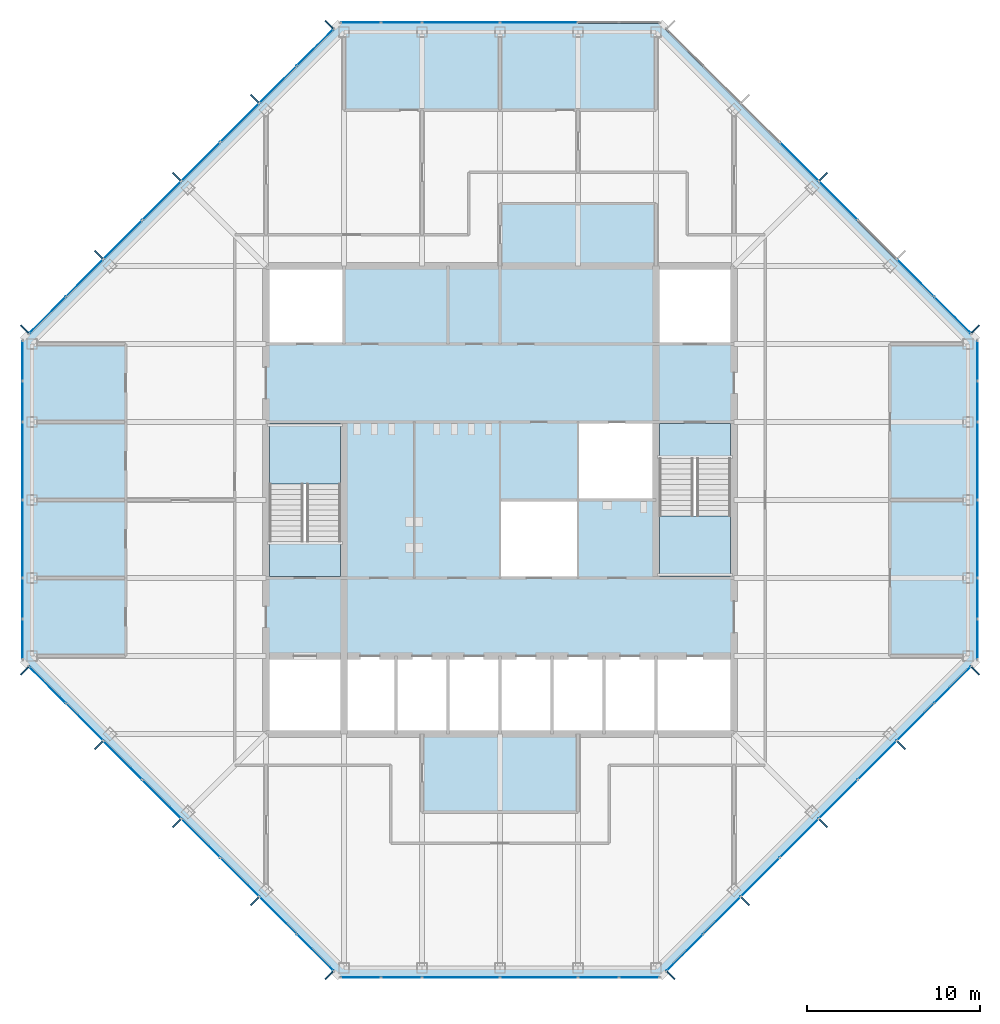
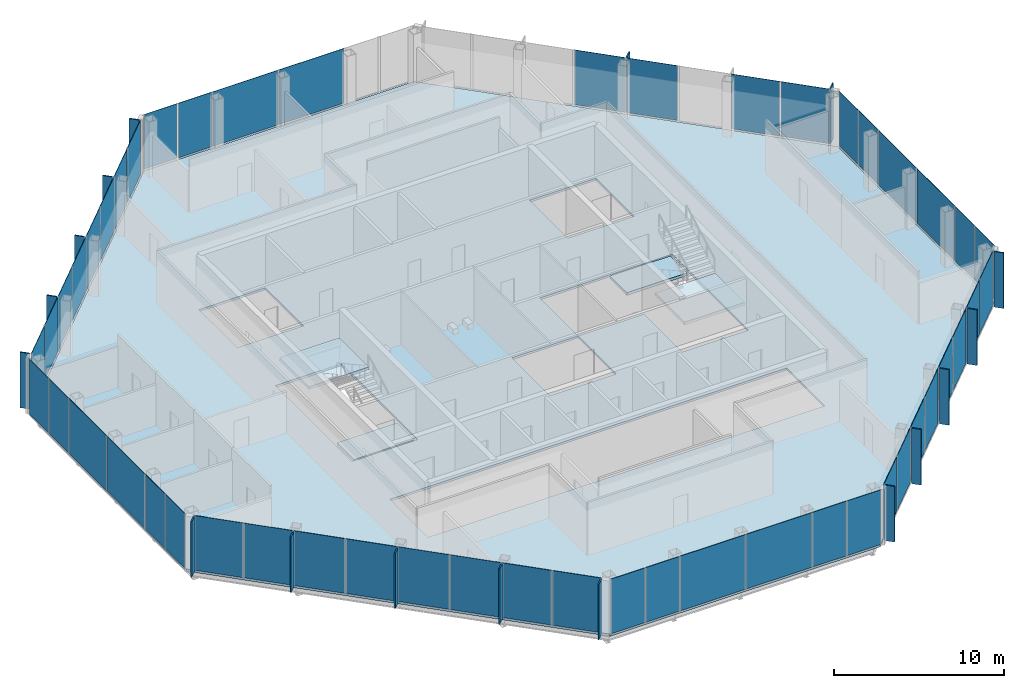
# One storey, part 8 of 14: 67 plates, 5 slabs, 10 elements without a shape of their own.
"""IFC4 building model written with IfcOpenShell, lengths in metres."""

from ifc_helpers import new_model, si_unit, direction, frame, origin, origin_2d, place, context, subcontext, project, spatial, polyline, rectangle, outline, extrude, material, layer, layer_set, type_object, element, aggregate, save


model = new_model("IFC4")

# Units and contexts
model_context = context("Model", 3, precision=1e-05, world=origin(), true_north=direction((0.0, 1.0)))
body_context = subcontext(model_context, "Body", "Model", "MODEL_VIEW")
ifc_project = project(units=[si_unit("LENGTHUNIT", "METRE"), si_unit("AREAUNIT", "SQUARE_METRE"), si_unit("VOLUMEUNIT", "CUBIC_METRE"), si_unit("PLANEANGLEUNIT", "RADIAN"), si_unit("MASSUNIT", "GRAM", prefix="KILO")], contexts=[model_context])

# Site, building, storey
site_placement = place(None, origin())
site = spatial("IfcSite", under=ifc_project, at=site_placement, CompositionType="ELEMENT")
building_placement = place(site_placement, origin())
building = spatial("IfcBuilding", under=site, at=building_placement, Name="Corais Broadcast Tower", CompositionType="ELEMENT")
storey_placement = place(building_placement, frame((0.0, 0.0, 262.60009765625)))
storey = spatial("IfcBuildingStorey", under=building, at=storey_placement, Name="L61", CompositionType="ELEMENT", Elevation=262.60009765625)

# Slab
ifc_material_1 = material(Name="Concrete C30/37", Category="concrete")
ifc_layer_1 = layer(ifc_material_1, 0.159912109375)
ifc_layer_set_1 = layer_set([ifc_layer_1], Name="Concrete C30/37")
slab_type_1 = type_object("IfcSlabType", Name="Composite floor slab 160", PredefinedType="FLOOR", material=ifc_layer_set_1)
slab_1_placement = place(storey_placement, frame((0.0, 0.0, -0.16015625)))
element("IfcSlab", 1, at=slab_1_placement, inside=storey, type_object=slab_type_1, Name="S160 floor slab L61", PredefinedType="FLOOR", context=body_context, shape_type="SweptSolid", body=[
    extrude(outline(polyline([(17.80126953125, -0.47998046875), (-0.47998046875, 17.80126953125), (-0.47998046875, 36.19873046875), (17.80126953125, 54.47998046875), (36.19873046875, 54.47998046875), (54.47998046875, 36.19873046875), (54.47998046875, 17.80126953125), (36.19873046875, -0.47998046875), (17.80126953125, -0.47998046875)]), holes=[polyline([(13.5, 18.0), (40.5, 18.0), (40.5, 13.5), (13.5, 13.5), (13.5, 18.0)]), polyline([(18.0, 22.5), (13.5, 22.5), (13.5, 31.5), (18.0, 31.5), (18.0, 22.5)]), polyline([(18.0, 36.0), (13.5, 36.0), (13.5, 40.5), (18.0, 40.5), (18.0, 36.0)]), polyline([(31.5, 22.5), (27.0, 22.5), (27.0, 27.0), (31.4951171875, 27.0), (31.4951171875, 27.0048828125), (31.5, 27.0048828125), (31.5, 31.5), (40.5, 31.5), (40.5, 22.5), (36.0, 22.5), (36.0, 27.0), (31.5048828125, 27.0), (31.5048828125, 26.9951171875), (31.5, 26.9951171875), (31.5, 22.5)]), polyline([(40.5, 36.0), (36.0, 36.0), (36.0, 40.5), (40.5, 40.5), (40.5, 36.0)])]), origin(), (0.0, 0.0, 1.0), 0.16015625),
])

# Curtain wall, plates
ifc_material_2 = material(Name="Aluminium and glass", Category="aluminium")
curtain_wall_type = type_object("IfcCurtainWallType", Name="Unitised fritted curtain wall CW3", PredefinedType="NOTDEFINED", material=ifc_material_2)
curtain_wall_1_placement = place(storey_placement, origin())
curtain_wall_1 = element("IfcCurtainWall", 2, at=curtain_wall_1_placement, inside=storey, type_object=curtain_wall_type, Name="CW3 curtain wall L61 1", PredefinedType="NOTDEFINED")
ifc_material_3 = material(Name="Ceramic-fritted laminated glass", Category="glass")
ifc_layer_2 = layer(ifc_material_3, 0.02587890625)
ifc_layer_set_2 = layer_set([ifc_layer_2], Name="Ceramic-fritted laminated glass")
plate_type_1 = type_object("IfcPlateType", Name="Fritted glass panel CW3", PredefinedType="CURTAIN_PANEL", material=ifc_layer_set_2)
plate_1_placement = place(storey_placement, frame((16.330322265625, 0.891845703125, 0.06494140625), z_axis=(0.0, 0.0, 1.0), x_axis=(-0.707106781187, 0.707106781187, 0.0)))
plate_1 = element("IfcPlate", 3, at=plate_1_placement, type_object=plate_type_1, Name="CW3 panel 1", PredefinedType="CURTAIN_PANEL", context=body_context, shape_type="SweptSolid", body=[
    extrude(rectangle(XDim=2.9482421875, YDim=0.02587890625, at=origin_2d()), origin(), (0.0, 0.0, 1.0), 3.93505859375),
])
plate_2_placement = place(storey_placement, frame((11.986083984375, 5.236083984375, 0.06494140625), z_axis=(0.0, 0.0, 1.0), x_axis=(-0.707106781187, 0.707106781187, 0.0)))
plate_2 = element("IfcPlate", 4, at=plate_2_placement, type_object=plate_type_1, Name="CW3 panel 3", PredefinedType="CURTAIN_PANEL", context=body_context, shape_type="SweptSolid", body=[
    extrude(rectangle(XDim=3.116943359375, YDim=0.02587890625, at=origin_2d()), origin(), (0.0, 0.0, 1.0), 3.93505859375),
])
plate_3_placement = place(storey_placement, frame((7.486083984375, 9.736083984375, 0.06494140625), z_axis=(0.0, 0.0, 1.0), x_axis=(-0.707106781187, 0.707106781187, 0.0)))
plate_3 = element("IfcPlate", 5, at=plate_3_placement, type_object=plate_type_1, Name="CW3 panel 5", PredefinedType="CURTAIN_PANEL", context=body_context, shape_type="SweptSolid", body=[
    extrude(rectangle(XDim=3.116943359375, YDim=0.02587890625, at=origin_2d()), origin(), (0.0, 0.0, 1.0), 3.93505859375),
])
plate_4_placement = place(storey_placement, frame((3.0341796875, 14.18798828125, 0.06494140625), z_axis=(0.0, 0.0, 1.0), x_axis=(-0.707106781187, 0.707106781187, 0.0)))
plate_4 = element("IfcPlate", 6, at=plate_4_placement, type_object=plate_type_1, Name="CW3 panel 7", PredefinedType="CURTAIN_PANEL", context=body_context, shape_type="SweptSolid", body=[
    extrude(rectangle(XDim=2.98095703125, YDim=0.02587890625, at=origin_2d()), origin(), (0.0, 0.0, 1.0), 3.93505859375),
])

curtain_wall_2_placement = place(storey_placement, origin())
curtain_wall_2 = element("IfcCurtainWall", 7, at=curtain_wall_2_placement, inside=storey, type_object=curtain_wall_type, Name="CW3 curtain wall L61 2", PredefinedType="NOTDEFINED")
plate_5_placement = place(storey_placement, frame((-0.550048828125, 18.970458984375, 0.06494140625), z_axis=(0.0, 0.0, 1.0), x_axis=(0.0, 1.0, 0.0)))
plate_5 = element("IfcPlate", 8, at=plate_5_placement, type_object=plate_type_1, Name="CW3 panel 1", PredefinedType="CURTAIN_PANEL", context=body_context, shape_type="SweptSolid", body=[
    extrude(rectangle(XDim=2.266357421875, YDim=0.02587890625, at=origin_2d()), origin(), (0.0, 0.0, 1.0), 3.93505859375),
])
plate_6_placement = place(storey_placement, frame((-0.550048828125, 24.75, 0.06494140625), z_axis=(0.0, 0.0, 1.0), x_axis=(0.0, 1.0, 0.0)))
plate_6 = element("IfcPlate", 9, at=plate_6_placement, type_object=plate_type_1, Name="CW3 panel 3", PredefinedType="CURTAIN_PANEL", context=body_context, shape_type="SweptSolid", body=[
    extrude(rectangle(XDim=4.43505859375, YDim=0.02587890625, at=origin_2d()), origin(), (0.0, 0.0, 1.0), 3.93505859375),
])
plate_7_placement = place(storey_placement, frame((-0.550048828125, 32.681884765625, 0.06494140625), z_axis=(0.0, 0.0, 1.0), x_axis=(0.0, 1.0, 0.0)))
plate_7 = element("IfcPlate", 10, at=plate_7_placement, type_object=plate_type_1, Name="CW3 panel 5", PredefinedType="CURTAIN_PANEL", context=body_context, shape_type="SweptSolid", body=[
    extrude(rectangle(XDim=2.298828125, YDim=0.02587890625, at=origin_2d()), origin(), (0.0, 0.0, 1.0), 3.93505859375),
])

curtain_wall_3_placement = place(storey_placement, origin())
curtain_wall_3 = element("IfcCurtainWall", 11, at=curtain_wall_3_placement, inside=storey, type_object=curtain_wall_type, Name="CW3 curtain wall L61 3", PredefinedType="NOTDEFINED")
plate_8_placement = place(storey_placement, frame((0.891845703125, 37.669677734375, 0.06494140625), z_axis=(0.0, 0.0, 1.0), x_axis=(0.707106781187, 0.707106781187, 0.0)))
plate_8 = element("IfcPlate", 12, at=plate_8_placement, type_object=plate_type_1, Name="CW3 panel 1", PredefinedType="CURTAIN_PANEL", context=body_context, shape_type="SweptSolid", body=[
    extrude(rectangle(XDim=2.9482421875, YDim=0.02587890625, at=origin_2d()), origin(), (0.0, 0.0, 1.0), 3.93505859375),
])
plate_9_placement = place(storey_placement, frame((5.236083984375, 42.013916015625, 0.06494140625), z_axis=(0.0, 0.0, 1.0), x_axis=(0.707106781187, 0.707106781187, 0.0)))
plate_9 = element("IfcPlate", 13, at=plate_9_placement, type_object=plate_type_1, Name="CW3 panel 3", PredefinedType="CURTAIN_PANEL", context=body_context, shape_type="SweptSolid", body=[
    extrude(rectangle(XDim=3.116943359375, YDim=0.02587890625, at=origin_2d()), origin(), (0.0, 0.0, 1.0), 3.93505859375),
])
plate_10_placement = place(storey_placement, frame((9.736083984375, 46.513916015625, 0.06494140625), z_axis=(0.0, 0.0, 1.0), x_axis=(0.707106781187, 0.707106781187, 0.0)))
plate_10 = element("IfcPlate", 14, at=plate_10_placement, type_object=plate_type_1, Name="CW3 panel 5", PredefinedType="CURTAIN_PANEL", context=body_context, shape_type="SweptSolid", body=[
    extrude(rectangle(XDim=3.116943359375, YDim=0.02587890625, at=origin_2d()), origin(), (0.0, 0.0, 1.0), 3.93505859375),
])
plate_11_placement = place(storey_placement, frame((14.18798828125, 50.9658203125, 0.06494140625), z_axis=(0.0, 0.0, 1.0), x_axis=(0.707106781187, 0.707106781187, 0.0)))
plate_11 = element("IfcPlate", 15, at=plate_11_placement, type_object=plate_type_1, Name="CW3 panel 7", PredefinedType="CURTAIN_PANEL", context=body_context, shape_type="SweptSolid", body=[
    extrude(rectangle(XDim=2.98095703125, YDim=0.02587890625, at=origin_2d()), origin(), (0.0, 0.0, 1.0), 3.93505859375),
])

curtain_wall_4_placement = place(storey_placement, origin())
curtain_wall_4 = element("IfcCurtainWall", 16, at=curtain_wall_4_placement, inside=storey, type_object=curtain_wall_type, Name="CW3 curtain wall L61 4", PredefinedType="NOTDEFINED")
plate_12_placement = place(storey_placement, frame((18.970458984375, 54.550048828125, 0.06494140625), z_axis=(0.0, 0.0, 1.0), x_axis=(1.0, 0.0, 0.0)))
plate_12 = element("IfcPlate", 17, at=plate_12_placement, type_object=plate_type_1, Name="CW3 panel 1", PredefinedType="CURTAIN_PANEL", context=body_context, shape_type="SweptSolid", body=[
    extrude(rectangle(XDim=2.266357421875, YDim=0.02587890625, at=origin_2d()), origin(), (0.0, 0.0, 1.0), 3.93505859375),
])
plate_13_placement = place(storey_placement, frame((24.75, 54.550048828125, 0.06494140625), z_axis=(0.0, 0.0, 1.0), x_axis=(1.0, 0.0, 0.0)))
plate_13 = element("IfcPlate", 18, at=plate_13_placement, type_object=plate_type_1, Name="CW3 panel 3", PredefinedType="CURTAIN_PANEL", context=body_context, shape_type="SweptSolid", body=[
    extrude(rectangle(XDim=4.43505859375, YDim=0.02587890625, at=origin_2d()), origin(), (0.0, 0.0, 1.0), 3.93505859375),
])

curtain_wall_5_placement = place(storey_placement, origin())
curtain_wall_5 = element("IfcCurtainWall", 19, at=curtain_wall_5_placement, inside=storey, type_object=curtain_wall_type, Name="CW3 curtain wall L61 5", PredefinedType="NOTDEFINED")
plate_14_placement = place(storey_placement, frame((46.513916015625, 44.263916015625, 0.06494140625), z_axis=(0.0, 0.0, 1.0), x_axis=(0.707106781187, -0.707106781187, 0.0)))
plate_14 = element("IfcPlate", 20, at=plate_14_placement, type_object=plate_type_1, Name="CW3 panel 5", PredefinedType="CURTAIN_PANEL", context=body_context, shape_type="SweptSolid", body=[
    extrude(rectangle(XDim=3.116943359375, YDim=0.02587890625, at=origin_2d()), origin(), (0.0, 0.0, 1.0), 3.93505859375),
])
plate_15_placement = place(storey_placement, frame((50.9658203125, 39.81201171875, 0.06494140625), z_axis=(0.0, 0.0, 1.0), x_axis=(0.707106781187, -0.707106781187, 0.0)))
plate_15 = element("IfcPlate", 21, at=plate_15_placement, type_object=plate_type_1, Name="CW3 panel 7", PredefinedType="CURTAIN_PANEL", context=body_context, shape_type="SweptSolid", body=[
    extrude(rectangle(XDim=2.98095703125, YDim=0.02587890625, at=origin_2d()), origin(), (0.0, 0.0, 1.0), 3.93505859375),
])

curtain_wall_6_placement = place(storey_placement, origin())
curtain_wall_6 = element("IfcCurtainWall", 22, at=curtain_wall_6_placement, inside=storey, type_object=curtain_wall_type, Name="CW3 curtain wall L61 6", PredefinedType="NOTDEFINED")
plate_16_placement = place(storey_placement, frame((54.550048828125, 35.029541015625, 0.06494140625), z_axis=(0.0, 0.0, 1.0), x_axis=(0.0, -1.0, 0.0)))
plate_16 = element("IfcPlate", 23, at=plate_16_placement, type_object=plate_type_1, Name="CW3 panel 1", PredefinedType="CURTAIN_PANEL", context=body_context, shape_type="SweptSolid", body=[
    extrude(rectangle(XDim=2.266357421875, YDim=0.02587890625, at=origin_2d()), origin(), (0.0, 0.0, 1.0), 3.93505859375),
])
plate_17_placement = place(storey_placement, frame((54.550048828125, 29.25, 0.06494140625), z_axis=(0.0, 0.0, 1.0), x_axis=(0.0, -1.0, 0.0)))
plate_17 = element("IfcPlate", 24, at=plate_17_placement, type_object=plate_type_1, Name="CW3 panel 3", PredefinedType="CURTAIN_PANEL", context=body_context, shape_type="SweptSolid", body=[
    extrude(rectangle(XDim=4.43505859375, YDim=0.02587890625, at=origin_2d()), origin(), (0.0, 0.0, 1.0), 3.93505859375),
])
plate_18_placement = place(storey_placement, frame((54.550048828125, 21.318115234375, 0.06494140625), z_axis=(0.0, 0.0, 1.0), x_axis=(0.0, -1.0, 0.0)))
plate_18 = element("IfcPlate", 25, at=plate_18_placement, type_object=plate_type_1, Name="CW3 panel 5", PredefinedType="CURTAIN_PANEL", context=body_context, shape_type="SweptSolid", body=[
    extrude(rectangle(XDim=2.298828125, YDim=0.02587890625, at=origin_2d()), origin(), (0.0, 0.0, 1.0), 3.93505859375),
])

curtain_wall_7_placement = place(storey_placement, origin())
curtain_wall_7 = element("IfcCurtainWall", 26, at=curtain_wall_7_placement, inside=storey, type_object=curtain_wall_type, Name="CW3 curtain wall L61 7", PredefinedType="NOTDEFINED")
plate_19_placement = place(storey_placement, frame((53.108154296875, 16.330322265625, 0.06494140625), z_axis=(0.0, 0.0, 1.0), x_axis=(-0.707106781187, -0.707106781187, 0.0)))
plate_19 = element("IfcPlate", 27, at=plate_19_placement, type_object=plate_type_1, Name="CW3 panel 1", PredefinedType="CURTAIN_PANEL", context=body_context, shape_type="SweptSolid", body=[
    extrude(rectangle(XDim=2.9482421875, YDim=0.02587890625, at=origin_2d()), origin(), (0.0, 0.0, 1.0), 3.93505859375),
])
plate_20_placement = place(storey_placement, frame((48.763916015625, 11.986083984375, 0.06494140625), z_axis=(0.0, 0.0, 1.0), x_axis=(-0.707106781187, -0.707106781187, 0.0)))
plate_20 = element("IfcPlate", 28, at=plate_20_placement, type_object=plate_type_1, Name="CW3 panel 3", PredefinedType="CURTAIN_PANEL", context=body_context, shape_type="SweptSolid", body=[
    extrude(rectangle(XDim=3.116943359375, YDim=0.02587890625, at=origin_2d()), origin(), (0.0, 0.0, 1.0), 3.93505859375),
])
plate_21_placement = place(storey_placement, frame((44.263916015625, 7.486083984375, 0.06494140625), z_axis=(0.0, 0.0, 1.0), x_axis=(-0.707106781187, -0.707106781187, 0.0)))
plate_21 = element("IfcPlate", 29, at=plate_21_placement, type_object=plate_type_1, Name="CW3 panel 5", PredefinedType="CURTAIN_PANEL", context=body_context, shape_type="SweptSolid", body=[
    extrude(rectangle(XDim=3.116943359375, YDim=0.02587890625, at=origin_2d()), origin(), (0.0, 0.0, 1.0), 3.93505859375),
])
plate_22_placement = place(storey_placement, frame((39.81201171875, 3.0341796875, 0.06494140625), z_axis=(0.0, 0.0, 1.0), x_axis=(-0.707106781187, -0.707106781187, 0.0)))
plate_22 = element("IfcPlate", 30, at=plate_22_placement, type_object=plate_type_1, Name="CW3 panel 7", PredefinedType="CURTAIN_PANEL", context=body_context, shape_type="SweptSolid", body=[
    extrude(rectangle(XDim=2.98095703125, YDim=0.02587890625, at=origin_2d()), origin(), (0.0, 0.0, 1.0), 3.93505859375),
])

curtain_wall_8_placement = place(storey_placement, origin())
curtain_wall_8 = element("IfcCurtainWall", 31, at=curtain_wall_8_placement, inside=storey, type_object=curtain_wall_type, Name="CW3 curtain wall L61 8", PredefinedType="NOTDEFINED")
plate_23_placement = place(storey_placement, frame((35.029541015625, -0.550048828125, 0.06494140625), z_axis=(0.0, 0.0, 1.0), x_axis=(-1.0, 0.0, 0.0)))
plate_23 = element("IfcPlate", 32, at=plate_23_placement, type_object=plate_type_1, Name="CW3 panel 1", PredefinedType="CURTAIN_PANEL", context=body_context, shape_type="SweptSolid", body=[
    extrude(rectangle(XDim=2.266357421875, YDim=0.02587890625, at=origin_2d()), origin(), (0.0, 0.0, 1.0), 3.93505859375),
])
plate_24_placement = place(storey_placement, frame((29.25, -0.550048828125, 0.06494140625), z_axis=(0.0, 0.0, 1.0), x_axis=(-1.0, 0.0, 0.0)))
plate_24 = element("IfcPlate", 33, at=plate_24_placement, type_object=plate_type_1, Name="CW3 panel 3", PredefinedType="CURTAIN_PANEL", context=body_context, shape_type="SweptSolid", body=[
    extrude(rectangle(XDim=4.43505859375, YDim=0.02587890625, at=origin_2d()), origin(), (0.0, 0.0, 1.0), 3.93505859375),
])
plate_25_placement = place(storey_placement, frame((21.318115234375, -0.550048828125, 0.06494140625), z_axis=(0.0, 0.0, 1.0), x_axis=(-1.0, 0.0, 0.0)))
plate_25 = element("IfcPlate", 34, at=plate_25_placement, type_object=plate_type_1, Name="CW3 panel 5", PredefinedType="CURTAIN_PANEL", context=body_context, shape_type="SweptSolid", body=[
    extrude(rectangle(XDim=2.298828125, YDim=0.02587890625, at=origin_2d()), origin(), (0.0, 0.0, 1.0), 3.93505859375),
])

# Plate
ifc_material_4 = material(Name="Clear laminated glass", Category="glass")
ifc_layer_3 = layer(ifc_material_4, 0.030029296875)
ifc_layer_set_3 = layer_set([ifc_layer_3], Name="Clear laminated glass")
plate_type_2 = type_object("IfcPlateType", Name="Operable glass panel CW3", PredefinedType="CURTAIN_PANEL", material=ifc_layer_set_3)
plate_26_placement = place(storey_placement, frame((14.18798828125, 3.0341796875, 0.06494140625), z_axis=(0.0, 0.0, 1.0), x_axis=(-0.707106781187, 0.707106781187, 0.0)))
plate_26 = element("IfcPlate", 35, at=plate_26_placement, type_object=plate_type_2, Name="CW3 operable panel 2", PredefinedType="CURTAIN_PANEL", context=body_context, shape_type="SweptSolid", body=[
    extrude(rectangle(XDim=2.98095703125, YDim=0.030029296875, at=origin_2d()), origin(), (0.0, 0.0, 1.0), 3.93505859375),
])

plate_27_placement = place(storey_placement, frame((9.736083984375, 7.486083984375, 0.06494140625), z_axis=(0.0, 0.0, 1.0), x_axis=(-0.707106781187, 0.707106781187, 0.0)))
plate_27 = element("IfcPlate", 36, at=plate_27_placement, type_object=plate_type_2, Name="CW3 operable panel 4", PredefinedType="CURTAIN_PANEL", context=body_context, shape_type="SweptSolid", body=[
    extrude(rectangle(XDim=3.116943359375, YDim=0.030029296875, at=origin_2d()), origin(), (0.0, 0.0, 1.0), 3.93505859375),
])

plate_28_placement = place(storey_placement, frame((5.236083984375, 11.986083984375, 0.06494140625), z_axis=(0.0, 0.0, 1.0), x_axis=(-0.707106781187, 0.707106781187, 0.0)))
plate_28 = element("IfcPlate", 37, at=plate_28_placement, type_object=plate_type_2, Name="CW3 operable panel 6", PredefinedType="CURTAIN_PANEL", context=body_context, shape_type="SweptSolid", body=[
    extrude(rectangle(XDim=3.116943359375, YDim=0.030029296875, at=origin_2d()), origin(), (0.0, 0.0, 1.0), 3.93505859375),
])

plate_29_placement = place(storey_placement, frame((0.89208984375, 16.330322265625, 0.06494140625), z_axis=(0.0, 0.0, 1.0), x_axis=(-0.707106781187, 0.707106781187, 0.0)))
plate_29 = element("IfcPlate", 38, at=plate_29_placement, type_object=plate_type_2, Name="CW3 operable panel 8", PredefinedType="CURTAIN_PANEL", context=body_context, shape_type="SweptSolid", body=[
    extrude(rectangle(XDim=2.948486328125, YDim=0.030029296875, at=origin_2d()), origin(), (0.0, 0.0, 1.0), 3.93505859375),
])

aggregate(curtain_wall_1, [plate_1, plate_26, plate_2, plate_27, plate_3, plate_28, plate_4, plate_29])

plate_30_placement = place(storey_placement, frame((-0.550048828125, 21.318115234375, 0.06494140625), z_axis=(0.0, 0.0, 1.0), x_axis=(0.0, 1.0, 0.0)))
plate_30 = element("IfcPlate", 39, at=plate_30_placement, type_object=plate_type_2, Name="CW3 operable panel 2", PredefinedType="CURTAIN_PANEL", context=body_context, shape_type="SweptSolid", body=[
    extrude(rectangle(XDim=2.298828125, YDim=0.030029296875, at=origin_2d()), origin(), (0.0, 0.0, 1.0), 3.93505859375),
])

plate_31_placement = place(storey_placement, frame((-0.550048828125, 29.25, 0.06494140625), z_axis=(0.0, 0.0, 1.0), x_axis=(0.0, 1.0, 0.0)))
plate_31 = element("IfcPlate", 40, at=plate_31_placement, type_object=plate_type_2, Name="CW3 operable panel 4", PredefinedType="CURTAIN_PANEL", context=body_context, shape_type="SweptSolid", body=[
    extrude(rectangle(XDim=4.43505859375, YDim=0.030029296875, at=origin_2d()), origin(), (0.0, 0.0, 1.0), 3.93505859375),
])

plate_32_placement = place(storey_placement, frame((-0.550048828125, 35.029541015625, 0.06494140625), z_axis=(0.0, 0.0, 1.0), x_axis=(0.0, 1.0, 0.0)))
plate_32 = element("IfcPlate", 41, at=plate_32_placement, type_object=plate_type_2, Name="CW3 operable panel 6", PredefinedType="CURTAIN_PANEL", context=body_context, shape_type="SweptSolid", body=[
    extrude(rectangle(XDim=2.266357421875, YDim=0.030029296875, at=origin_2d()), origin(), (0.0, 0.0, 1.0), 3.93505859375),
])

aggregate(curtain_wall_2, [plate_5, plate_30, plate_6, plate_31, plate_7, plate_32])

plate_33_placement = place(storey_placement, frame((3.0341796875, 39.81201171875, 0.06494140625), z_axis=(0.0, 0.0, 1.0), x_axis=(0.707106781187, 0.707106781187, 0.0)))
plate_33 = element("IfcPlate", 42, at=plate_33_placement, type_object=plate_type_2, Name="CW3 operable panel 2", PredefinedType="CURTAIN_PANEL", context=body_context, shape_type="SweptSolid", body=[
    extrude(rectangle(XDim=2.98095703125, YDim=0.030029296875, at=origin_2d()), origin(), (0.0, 0.0, 1.0), 3.93505859375),
])

plate_34_placement = place(storey_placement, frame((7.486083984375, 44.263916015625, 0.06494140625), z_axis=(0.0, 0.0, 1.0), x_axis=(0.707106781187, 0.707106781187, 0.0)))
plate_34 = element("IfcPlate", 43, at=plate_34_placement, type_object=plate_type_2, Name="CW3 operable panel 4", PredefinedType="CURTAIN_PANEL", context=body_context, shape_type="SweptSolid", body=[
    extrude(rectangle(XDim=3.116943359375, YDim=0.030029296875, at=origin_2d()), origin(), (0.0, 0.0, 1.0), 3.93505859375),
])

plate_35_placement = place(storey_placement, frame((11.986083984375, 48.763916015625, 0.06494140625), z_axis=(0.0, 0.0, 1.0), x_axis=(0.707106781187, 0.707106781187, 0.0)))
plate_35 = element("IfcPlate", 44, at=plate_35_placement, type_object=plate_type_2, Name="CW3 operable panel 6", PredefinedType="CURTAIN_PANEL", context=body_context, shape_type="SweptSolid", body=[
    extrude(rectangle(XDim=3.116943359375, YDim=0.030029296875, at=origin_2d()), origin(), (0.0, 0.0, 1.0), 3.93505859375),
])

plate_36_placement = place(storey_placement, frame((16.330322265625, 53.10791015625, 0.06494140625), z_axis=(0.0, 0.0, 1.0), x_axis=(0.707106781187, 0.707106781187, 0.0)))
plate_36 = element("IfcPlate", 45, at=plate_36_placement, type_object=plate_type_2, Name="CW3 operable panel 8", PredefinedType="CURTAIN_PANEL", context=body_context, shape_type="SweptSolid", body=[
    extrude(rectangle(XDim=2.948486328125, YDim=0.030029296875, at=origin_2d()), origin(), (0.0, 0.0, 1.0), 3.93505859375),
])

aggregate(curtain_wall_3, [plate_8, plate_33, plate_9, plate_34, plate_10, plate_35, plate_11, plate_36])

plate_37_placement = place(storey_placement, frame((21.318115234375, 54.550048828125, 0.06494140625), z_axis=(0.0, 0.0, 1.0), x_axis=(1.0, 0.0, 0.0)))
plate_37 = element("IfcPlate", 46, at=plate_37_placement, type_object=plate_type_2, Name="CW3 operable panel 2", PredefinedType="CURTAIN_PANEL", context=body_context, shape_type="SweptSolid", body=[
    extrude(rectangle(XDim=2.298828125, YDim=0.030029296875, at=origin_2d()), origin(), (0.0, 0.0, 1.0), 3.93505859375),
])

plate_38_placement = place(storey_placement, frame((29.25, 54.550048828125, 0.06494140625), z_axis=(0.0, 0.0, 1.0), x_axis=(1.0, 0.0, 0.0)))
plate_38 = element("IfcPlate", 47, at=plate_38_placement, type_object=plate_type_2, Name="CW3 operable panel 4", PredefinedType="CURTAIN_PANEL", context=body_context, shape_type="SweptSolid", body=[
    extrude(rectangle(XDim=4.43505859375, YDim=0.030029296875, at=origin_2d()), origin(), (0.0, 0.0, 1.0), 3.93505859375),
])

aggregate(curtain_wall_4, [plate_12, plate_37, plate_13, plate_38])

plate_39_placement = place(storey_placement, frame((44.263916015625, 46.513916015625, 0.06494140625), z_axis=(0.0, 0.0, 1.0), x_axis=(0.707106781187, -0.707106781187, 0.0)))
plate_39 = element("IfcPlate", 48, at=plate_39_placement, type_object=plate_type_2, Name="CW3 operable panel 4", PredefinedType="CURTAIN_PANEL", context=body_context, shape_type="SweptSolid", body=[
    extrude(rectangle(XDim=3.116943359375, YDim=0.030029296875, at=origin_2d()), origin(), (0.0, 0.0, 1.0), 3.93505859375),
])

plate_40_placement = place(storey_placement, frame((53.10791015625, 37.669677734375, 0.06494140625), z_axis=(0.0, 0.0, 1.0), x_axis=(0.707106781187, -0.707106781187, 0.0)))
plate_40 = element("IfcPlate", 49, at=plate_40_placement, type_object=plate_type_2, Name="CW3 operable panel 8", PredefinedType="CURTAIN_PANEL", context=body_context, shape_type="SweptSolid", body=[
    extrude(rectangle(XDim=2.948486328125, YDim=0.030029296875, at=origin_2d()), origin(), (0.0, 0.0, 1.0), 3.93505859375),
])

aggregate(curtain_wall_5, [plate_39, plate_14, plate_15, plate_40])

plate_41_placement = place(storey_placement, frame((54.550048828125, 32.681884765625, 0.06494140625), z_axis=(0.0, 0.0, 1.0), x_axis=(0.0, -1.0, 0.0)))
plate_41 = element("IfcPlate", 50, at=plate_41_placement, type_object=plate_type_2, Name="CW3 operable panel 2", PredefinedType="CURTAIN_PANEL", context=body_context, shape_type="SweptSolid", body=[
    extrude(rectangle(XDim=2.298828125, YDim=0.030029296875, at=origin_2d()), origin(), (0.0, 0.0, 1.0), 3.93505859375),
])

plate_42_placement = place(storey_placement, frame((54.550048828125, 24.75, 0.06494140625), z_axis=(0.0, 0.0, 1.0), x_axis=(0.0, -1.0, 0.0)))
plate_42 = element("IfcPlate", 51, at=plate_42_placement, type_object=plate_type_2, Name="CW3 operable panel 4", PredefinedType="CURTAIN_PANEL", context=body_context, shape_type="SweptSolid", body=[
    extrude(rectangle(XDim=4.43505859375, YDim=0.030029296875, at=origin_2d()), origin(), (0.0, 0.0, 1.0), 3.93505859375),
])

plate_43_placement = place(storey_placement, frame((54.550048828125, 18.970458984375, 0.06494140625), z_axis=(0.0, 0.0, 1.0), x_axis=(0.0, -1.0, 0.0)))
plate_43 = element("IfcPlate", 52, at=plate_43_placement, type_object=plate_type_2, Name="CW3 operable panel 6", PredefinedType="CURTAIN_PANEL", context=body_context, shape_type="SweptSolid", body=[
    extrude(rectangle(XDim=2.266357421875, YDim=0.030029296875, at=origin_2d()), origin(), (0.0, 0.0, 1.0), 3.93505859375),
])

aggregate(curtain_wall_6, [plate_16, plate_41, plate_17, plate_42, plate_18, plate_43])

plate_44_placement = place(storey_placement, frame((50.9658203125, 14.18798828125, 0.06494140625), z_axis=(0.0, 0.0, 1.0), x_axis=(-0.707106781187, -0.707106781187, 0.0)))
plate_44 = element("IfcPlate", 53, at=plate_44_placement, type_object=plate_type_2, Name="CW3 operable panel 2", PredefinedType="CURTAIN_PANEL", context=body_context, shape_type="SweptSolid", body=[
    extrude(rectangle(XDim=2.98095703125, YDim=0.030029296875, at=origin_2d()), origin(), (0.0, 0.0, 1.0), 3.93505859375),
])

plate_45_placement = place(storey_placement, frame((46.513916015625, 9.736083984375, 0.06494140625), z_axis=(0.0, 0.0, 1.0), x_axis=(-0.707106781187, -0.707106781187, 0.0)))
plate_45 = element("IfcPlate", 54, at=plate_45_placement, type_object=plate_type_2, Name="CW3 operable panel 4", PredefinedType="CURTAIN_PANEL", context=body_context, shape_type="SweptSolid", body=[
    extrude(rectangle(XDim=3.116943359375, YDim=0.030029296875, at=origin_2d()), origin(), (0.0, 0.0, 1.0), 3.93505859375),
])

plate_46_placement = place(storey_placement, frame((42.013916015625, 5.236083984375, 0.06494140625), z_axis=(0.0, 0.0, 1.0), x_axis=(-0.707106781187, -0.707106781187, 0.0)))
plate_46 = element("IfcPlate", 55, at=plate_46_placement, type_object=plate_type_2, Name="CW3 operable panel 6", PredefinedType="CURTAIN_PANEL", context=body_context, shape_type="SweptSolid", body=[
    extrude(rectangle(XDim=3.116943359375, YDim=0.030029296875, at=origin_2d()), origin(), (0.0, 0.0, 1.0), 3.93505859375),
])

plate_47_placement = place(storey_placement, frame((37.669677734375, 0.89208984375, 0.06494140625), z_axis=(0.0, 0.0, 1.0), x_axis=(-0.707106781187, -0.707106781187, 0.0)))
plate_47 = element("IfcPlate", 56, at=plate_47_placement, type_object=plate_type_2, Name="CW3 operable panel 8", PredefinedType="CURTAIN_PANEL", context=body_context, shape_type="SweptSolid", body=[
    extrude(rectangle(XDim=2.948486328125, YDim=0.030029296875, at=origin_2d()), origin(), (0.0, 0.0, 1.0), 3.93505859375),
])

aggregate(curtain_wall_7, [plate_19, plate_44, plate_20, plate_45, plate_21, plate_46, plate_22, plate_47])

plate_48_placement = place(storey_placement, frame((32.681884765625, -0.550048828125, 0.06494140625), z_axis=(0.0, 0.0, 1.0), x_axis=(-1.0, 0.0, 0.0)))
plate_48 = element("IfcPlate", 57, at=plate_48_placement, type_object=plate_type_2, Name="CW3 operable panel 2", PredefinedType="CURTAIN_PANEL", context=body_context, shape_type="SweptSolid", body=[
    extrude(rectangle(XDim=2.298828125, YDim=0.030029296875, at=origin_2d()), origin(), (0.0, 0.0, 1.0), 3.93505859375),
])

plate_49_placement = place(storey_placement, frame((24.75, -0.550048828125, 0.06494140625), z_axis=(0.0, 0.0, 1.0), x_axis=(-1.0, 0.0, 0.0)))
plate_49 = element("IfcPlate", 58, at=plate_49_placement, type_object=plate_type_2, Name="CW3 operable panel 4", PredefinedType="CURTAIN_PANEL", context=body_context, shape_type="SweptSolid", body=[
    extrude(rectangle(XDim=4.43505859375, YDim=0.030029296875, at=origin_2d()), origin(), (0.0, 0.0, 1.0), 3.93505859375),
])

plate_50_placement = place(storey_placement, frame((18.970458984375, -0.550048828125, 0.06494140625), z_axis=(0.0, 0.0, 1.0), x_axis=(-1.0, 0.0, 0.0)))
plate_50 = element("IfcPlate", 59, at=plate_50_placement, type_object=plate_type_2, Name="CW3 operable panel 6", PredefinedType="CURTAIN_PANEL", context=body_context, shape_type="SweptSolid", body=[
    extrude(rectangle(XDim=2.266357421875, YDim=0.030029296875, at=origin_2d()), origin(), (0.0, 0.0, 1.0), 3.93505859375),
])

aggregate(curtain_wall_8, [plate_23, plate_48, plate_24, plate_49, plate_25, plate_50])

# Stair, slabs
ifc_material_5 = material(Name="Concrete C30/37", Category="concrete")
stair_type = type_object("IfcStairType", Name="Half-turn stair 4000", PredefinedType="HALF_TURN_STAIR", material=ifc_material_5)
stair_1_placement = place(storey_placement, origin())
stair_1 = element("IfcStair", 60, at=stair_1_placement, inside=storey, type_object=stair_type, Name="Stair A L61", PredefinedType="HALF_TURN_STAIR")
ifc_material_6 = material(Name="Concrete C30/37", Category="concrete")
ifc_layer_4 = layer(ifc_material_6, 0.199951171875)
ifc_layer_set_4 = layer_set([ifc_layer_4], Name="Concrete C30/37")
slab_type_2 = type_object("IfcSlabType", Name="Stair landing 200", PredefinedType="LANDING", material=ifc_layer_set_4)
slab_2_placement = place(storey_placement, frame((0.0, 0.0, -0.2001953125)))
slab_2 = element("IfcSlab", 61, at=slab_2_placement, type_object=slab_type_2, Name="STA landing 1", PredefinedType="LANDING", context=body_context, shape_type="SweptSolid", body=[
    extrude(outline(polyline([(13.699951171875, 22.60009765625), (17.800048828125, 22.60009765625), (17.800048828125, 24.60009765625), (13.699951171875, 24.60009765625), (13.699951171875, 22.60009765625)])), origin(), (0.0, 0.0, 1.0), 0.2001953125),
])
slab_3_placement = place(storey_placement, frame((0.0, 0.0, 1.7998046875)))
slab_3 = element("IfcSlab", 62, at=slab_3_placement, type_object=slab_type_2, Name="STA landing 2", PredefinedType="LANDING", context=body_context, shape_type="SweptSolid", body=[
    extrude(outline(polyline([(13.699951171875, 27.922119140625), (17.800048828125, 27.922119140625), (17.800048828125, 31.39990234375), (13.699951171875, 31.39990234375), (13.699951171875, 27.922119140625)])), origin(), (0.0, 0.0, 1.0), 0.2001953125),
])
aggregate(stair_1, [slab_2, slab_3])

stair_2_placement = place(storey_placement, origin())
stair_2 = element("IfcStair", 63, at=stair_2_placement, inside=storey, type_object=stair_type, Name="Stair B L61", PredefinedType="HALF_TURN_STAIR")
slab_4_placement = place(storey_placement, frame((0.0, 0.0, -0.2001953125)))
slab_4 = element("IfcSlab", 64, at=slab_4_placement, type_object=slab_type_2, Name="STB landing 1", PredefinedType="LANDING", context=body_context, shape_type="SweptSolid", body=[
    extrude(outline(polyline([(36.199951171875, 29.39990234375), (40.300048828125, 29.39990234375), (40.300048828125, 31.39990234375), (36.199951171875, 31.39990234375), (36.199951171875, 29.39990234375)])), origin(), (0.0, 0.0, 1.0), 0.2001953125),
])
slab_5_placement = place(storey_placement, frame((0.0, 0.0, 1.7998046875)))
slab_5 = element("IfcSlab", 65, at=slab_5_placement, type_object=slab_type_2, Name="STB landing 2", PredefinedType="LANDING", context=body_context, shape_type="SweptSolid", body=[
    extrude(outline(polyline([(36.199951171875, 22.60009765625), (40.300048828125, 22.60009765625), (40.300048828125, 26.077880859375), (36.199951171875, 26.077880859375), (36.199951171875, 22.60009765625)])), origin(), (0.0, 0.0, 1.0), 0.2001953125),
])
aggregate(stair_2, [slab_4, slab_5])

# Plates
ifc_material_7 = material(Name="Granite stone cladding", Category="masonry")
ifc_layer_5 = layer(ifc_material_7, 0.080078125)
ifc_layer_set_5 = layer_set([ifc_layer_5], Name="Granite stone cladding")
plate_type_3 = type_object("IfcPlateType", Name="Stone screen fin 80x600", PredefinedType="USERDEFINED", material=ifc_layer_set_5)
for number, where, z_axis, x_axis, name in (
    (66, (17.129150390625, -0.43994140625, 0.0), (0.0, 0.0, 1.0), (-0.707106781187, 0.707106781187, 0.0), "SF1 stone screen fin L61"),
    (67, (12.844482421875, 3.844482421875, 0.0), (0.0, 0.0, 1.0), (-0.707106781187, 0.707106781187, 0.0), "SF1 stone screen fin L61"),
    (68, (8.344482421875, 8.344482421875, 0.0), (0.0, 0.0, 1.0), (-0.707106781187, 0.707106781187, 0.0), "SF1 stone screen fin L61"),
    (69, (3.844482421875, 12.844482421875, 0.0), (0.0, 0.0, 1.0), (-0.707106781187, 0.707106781187, 0.0), "SF1 stone screen fin L61"),
    (70, (-0.43994140625, 17.129150390625, 0.0), (0.0, 0.0, 1.0), (-0.707106781187, 0.707106781187, 0.0), "SF1 stone screen fin L61"),
    (71, (-0.43994140625, 36.870849609375, 0.0), (0.0, 0.0, 1.0), (0.707106781187, 0.707106781187, 0.0), "SF1 stone screen fin L61"),
    (72, (3.844482421875, 41.155517578125, 0.0), (0.0, 0.0, 1.0), (0.707106781187, 0.707106781187, 0.0), "SF1 stone screen fin L61"),
    (73, (8.344482421875, 45.655517578125, 0.0), (0.0, 0.0, 1.0), (0.707106781187, 0.707106781187, 0.0), "SF1 stone screen fin L61"),
    (74, (12.844482421875, 50.155517578125, 0.0), (0.0, 0.0, 1.0), (0.707106781187, 0.707106781187, 0.0), "SF1 stone screen fin L61"),
    (75, (17.129150390625, 54.43994140625, 0.0), (0.0, 0.0, 1.0), (0.707106781187, 0.707106781187, 0.0), "SF1 stone screen fin L61"),
    (76, (45.655517578125, 45.655517578125, 0.0), (0.0, 0.0, 1.0), (0.707106781187, -0.707106781187, 0.0), "SF1 stone screen fin L61"),
    (77, (54.43994140625, 36.870849609375, 0.0), (0.0, 0.0, 1.0), (0.707106781187, -0.707106781187, 0.0), "SF1 stone screen fin L61"),
    (78, (54.43994140625, 17.129150390625, 0.0), (0.0, 0.0, 1.0), (-0.707106781187, -0.707106781187, 0.0), "SF1 stone screen fin L61"),
    (79, (50.155517578125, 12.844482421875, 0.0), (0.0, 0.0, 1.0), (-0.707106781187, -0.707106781187, 0.0), "SF1 stone screen fin L61"),
    (80, (45.655517578125, 8.344482421875, 0.0), (0.0, 0.0, 1.0), (-0.707106781187, -0.707106781187, 0.0), "SF1 stone screen fin L61"),
    (81, (41.155517578125, 3.844482421875, 0.0), (0.0, 0.0, 1.0), (-0.707106781187, -0.707106781187, 0.0), "SF1 stone screen fin L61"),
    (82, (36.870849609375, -0.43994140625, 0.0), (0.0, 0.0, 1.0), (-0.707106781187, -0.707106781187, 0.0), "SF1 stone screen fin L61"),
):
    element("IfcPlate", number, at=place(storey_placement, frame(where, z_axis=z_axis, x_axis=x_axis)), inside=storey, type_object=plate_type_3, Name=name, ObjectType="STONE SCREEN FIN", PredefinedType="USERDEFINED", context=body_context, shape_type="SweptSolid", body=[
        extrude(rectangle(XDim=0.080078125, YDim=0.60009765625, at=origin_2d()), origin(), (0.0, 0.0, 1.0), 4.0),
    ])

save(model, "model.ifc")
